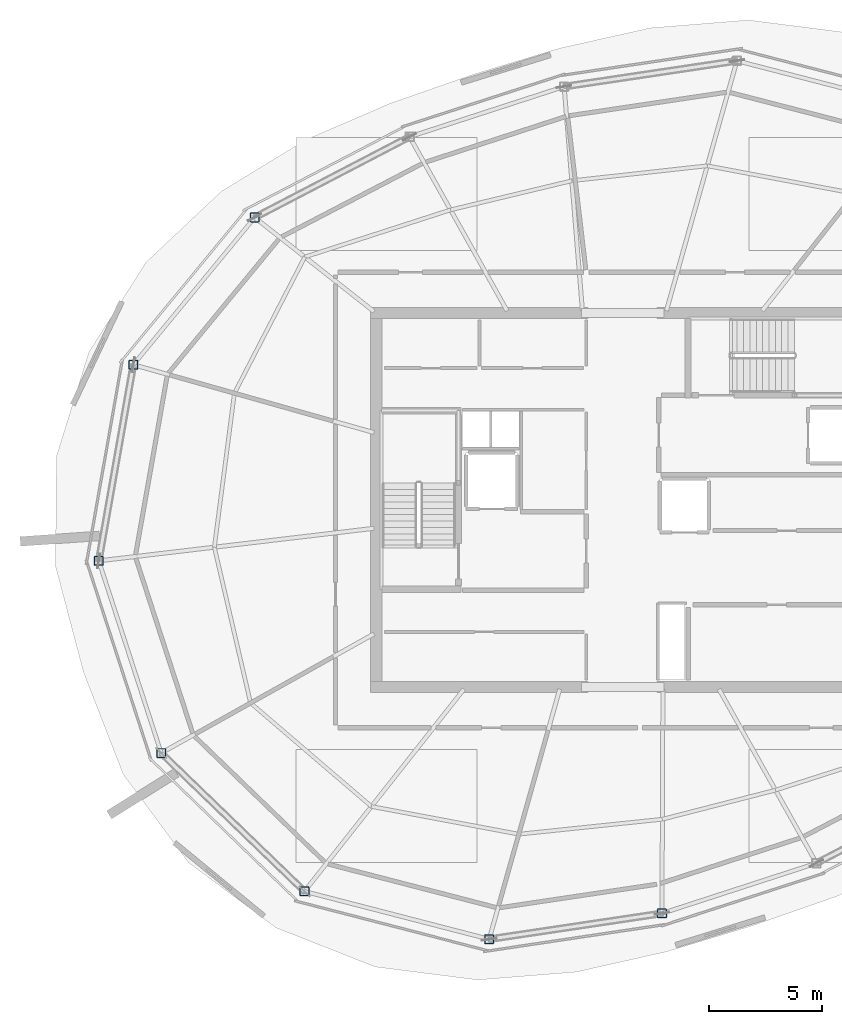
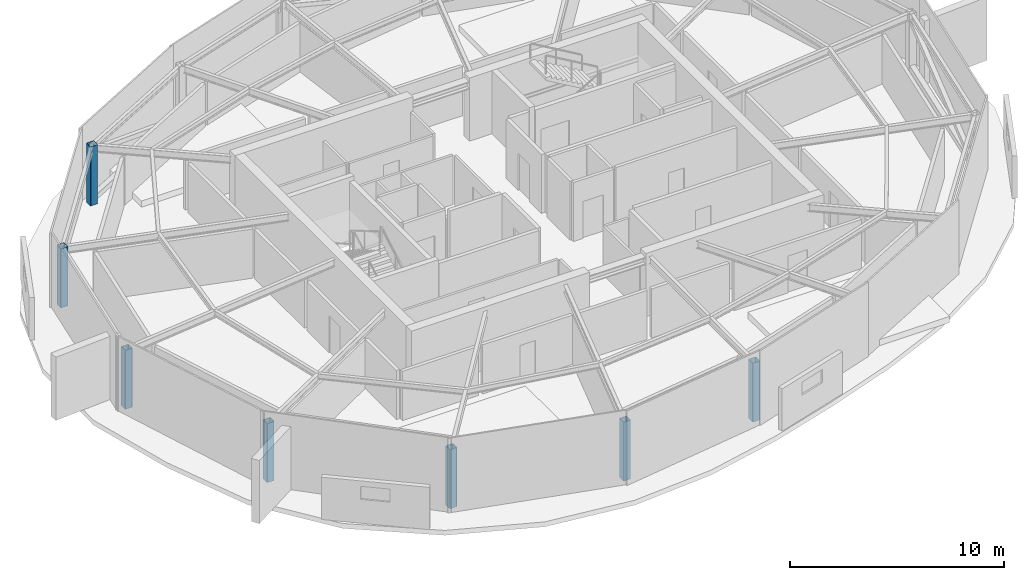
# One storey, part 1 of 10: 7 columns.
"""IFC4 building model written with IfcOpenShell, lengths in metres."""

from ifc_helpers import new_model, si_unit, direction, frame, origin, origin_2d, place, context, subcontext, project, spatial, hollow_rectangle, extrude, material, material_profile, profile_set, type_object, element, save


model = new_model("IFC4")

# Units and contexts
model_context = context("Model", 3, precision=1e-05, world=origin(), true_north=direction((0.0, 1.0)))
body_context = subcontext(model_context, "Body", "Model", "MODEL_VIEW")
ifc_project = project(units=[si_unit("LENGTHUNIT", "METRE"), si_unit("AREAUNIT", "SQUARE_METRE"), si_unit("VOLUMEUNIT", "CUBIC_METRE"), si_unit("PLANEANGLEUNIT", "RADIAN"), si_unit("MASSUNIT", "GRAM", prefix="KILO")], contexts=[model_context])

# Site, building, storey
site_placement = place(None, origin())
site = spatial("IfcSite", under=ifc_project, at=site_placement, CompositionType="ELEMENT")
building_placement = place(site_placement, origin())
building = spatial("IfcBuilding", under=site, at=building_placement, Name="Kazma Halo Residences", CompositionType="ELEMENT")
storey_placement = place(building_placement, frame((0.0, 0.0, 374.0)))
storey = spatial("IfcBuildingStorey", under=building, at=storey_placement, Name="L94", CompositionType="ELEMENT", Elevation=374.0)

# Columns
ifc_material = material(Name="Steel S355", Category="steel")
ifc_material_profile = material_profile(ifc_material, hollow_rectangle(XDim=0.39990234375, YDim=0.39990234375, WallThickness=0.02001953125, InnerFilletRadius=0.02001953125, OuterFilletRadius=0.0400390625, at=origin_2d()), Name="SHS400x400x20")
ifc_profile_set = profile_set([ifc_material_profile], Name="Steel S355")
column_type = type_object("IfcColumnType", Name="COL-CROWN-SHS400", PredefinedType="COLUMN", material=ifc_profile_set)
for number, where, z_axis, x_axis, name in (
    (1, (32.184814453125, 54.467529296875, 0.0), (0.0, 0.0, 1.0), (1.0, 0.0, 0.0), "L94 CROWN FRAME perimeter column P06"),
    (2, (26.830078125, 47.970458984375, 0.0), (0.0, 0.0, 1.0), (1.0, 0.0, 0.0), "L94 CROWN FRAME perimeter column P07"),
    (3, (25.3037109375, 39.313720703125, 0.0), (0.0, 0.0, 1.0), (1.0, 0.0, 0.0), "L94 CROWN FRAME perimeter column P08"),
    (4, (28.059326171875, 30.832763671875, 0.0), (0.0, 0.0, 1.0), (1.0, 0.0, 0.0), "L94 CROWN FRAME perimeter column P09"),
    (5, (34.382568359375, 24.726318359375, 0.0), (0.0, 0.0, 1.0), (1.0, 0.0, 0.0), "L94 CROWN FRAME perimeter column P10"),
    (6, (42.53369140625, 22.61767578125, 0.0), (0.0, 0.0, 1.0), (1.0, 0.0, 0.0), "L94 CROWN FRAME perimeter column P11"),
    (7, (50.1591796875, 23.75634765625, 0.0), (0.0, 0.0, 1.0), (1.0, 0.0, 0.0), "L94 CROWN FRAME perimeter column P12"),
):
    element("IfcColumn", number, at=place(storey_placement, frame(where, z_axis=z_axis, x_axis=x_axis)), inside=storey, type_object=column_type, Name=name, PredefinedType="COLUMN", context=body_context, shape_type="SweptSolid", body=[
        extrude(hollow_rectangle(XDim=0.39990234375, YDim=0.39990234375, WallThickness=0.02001953125, InnerFilletRadius=0.02001953125, OuterFilletRadius=0.0400390625, at=origin_2d()), origin(), (0.0, 0.0, 1.0), 3.360107421875),
    ])

save(model, "model.ifc")
